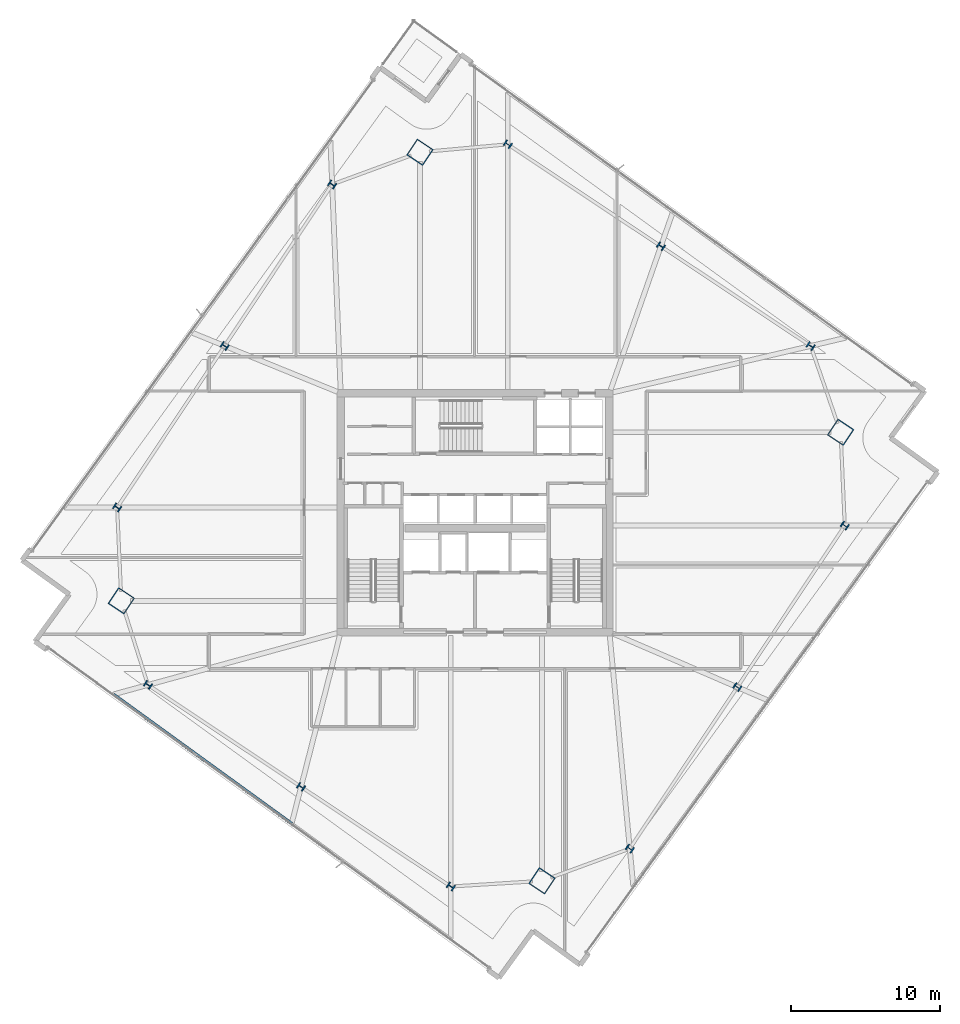
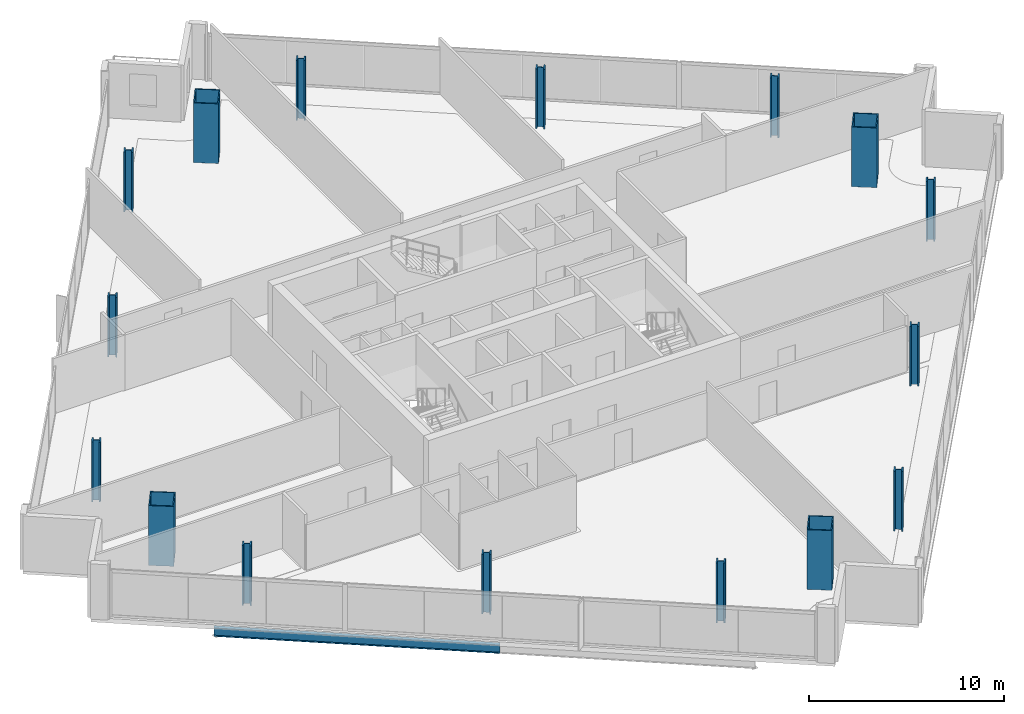
# One storey, part 1 of 29: 16 columns, 1 beam.
"""IFC4 building model written with IfcOpenShell, lengths in metres."""

from ifc_helpers import new_model, si_unit, direction, frame, origin, origin_2d, place, context, subcontext, project, spatial, hollow_rectangle, i_section, extrude, material, material_profile, profile_set, type_object, element, save


model = new_model("IFC4")

# Units and contexts
model_context = context("Model", 3, precision=1e-05, world=origin(), true_north=direction((0.0, 1.0)))
body_context = subcontext(model_context, "Body", "Model", "MODEL_VIEW")
ifc_project = project(units=[si_unit("LENGTHUNIT", "METRE"), si_unit("AREAUNIT", "SQUARE_METRE"), si_unit("VOLUMEUNIT", "CUBIC_METRE"), si_unit("PLANEANGLEUNIT", "RADIAN"), si_unit("MASSUNIT", "GRAM", prefix="KILO")], contexts=[model_context])

# Site, building, storey
site_placement = place(None, origin())
site = spatial("IfcSite", under=ifc_project, at=site_placement, CompositionType="ELEMENT")
building_placement = place(site_placement, origin())
building = spatial("IfcBuilding", under=site, at=building_placement, Name="Haldenkirk Collegiate Tower", CompositionType="ELEMENT")
storey_placement = place(building_placement, frame((0.0, 0.0, 209.699951171875)))
storey = spatial("IfcBuildingStorey", under=building, at=storey_placement, Name="L52", CompositionType="ELEMENT", Elevation=209.699951171875)

# Columns
ifc_material_1 = material(Name="Steel ASTM A913 Grade 65", Category="steel")
ifc_material_profile_1 = material_profile(ifc_material_1, i_section(OverallWidth=0.424072265625, OverallDepth=0.47412109375, WebThickness=0.047607421875, FlangeThickness=0.0771484375, at=origin_2d()), Name="W14X426")
ifc_profile_set_1 = profile_set([ifc_material_profile_1], Name="Steel ASTM A913 Grade 65")
column_type_1 = type_object("IfcColumnType", Name="COL-INT-W14X426", PredefinedType="COLUMN", material=ifc_profile_set_1)
for number, where, z_axis, x_axis, name in (
    (1, (46.363037109375, 3.48974609375, 0.0), (0.0, 0.0, 1.0), (0.554118199338, 0.832437998389, 0.0), "L52 perimeter gravity column PC-S1"),
    (2, (53.564453125, 14.30810546875, 0.0), (0.0, 0.0, 1.0), (0.554118199338, 0.832437998389, 0.0), "L52 perimeter gravity column PC-S2"),
    (3, (60.765869140625, 25.12646484375, 0.0), (0.0, 0.0, 1.0), (0.554118199338, 0.832437998389, 0.0), "L52 perimeter gravity column PC-S3"),
    (4, (58.48095703125, 37.16357421875, 0.0), (0.0, 0.0, 1.0), (0.554118199338, 0.832437998389, 0.0), "L52 perimeter gravity column PC-E1"),
    (5, (48.447509765625, 43.84228515625, 0.0), (0.0, 0.0, 1.0), (0.554118199338, 0.832437998389, 0.0), "L52 perimeter gravity column PC-E2"),
    (6, (38.192626953125, 50.66845703125, 0.0), (0.0, 0.0, 1.0), (0.554118199338, 0.832437998389, 0.0), "L52 perimeter gravity column PC-E3"),
    (7, (26.427734375, 47.98388671875, 0.0), (0.0, 0.0, 1.0), (0.554118199338, 0.832437998389, 0.0), "L52 perimeter gravity column PC-N1"),
    (8, (19.226318359375, 37.16552734375, 0.0), (0.0, 0.0, 1.0), (0.554118199338, 0.832437998389, 0.0), "L52 perimeter gravity column PC-N2"),
    (9, (12.025146484375, 26.34716796875, 0.0), (0.0, 0.0, 1.0), (0.554118199338, 0.832437998389, 0.0), "L52 perimeter gravity column PC-N3"),
    (10, (14.08837890625, 14.45751953125, 0.0), (0.0, 0.0, 1.0), (0.554118199338, 0.832437998389, 0.0), "L52 perimeter gravity column PC-W1"),
    (11, (24.34326171875, 7.63134765625, 0.0), (0.0, 0.0, 1.0), (0.554118199338, 0.832437998389, 0.0), "L52 perimeter gravity column PC-W2"),
    (12, (34.376708984375, 0.952392578125, 0.0), (0.0, 0.0, 1.0), (0.554118199338, 0.832437998389, 0.0), "L52 perimeter gravity column PC-W3"),
):
    element("IfcColumn", number, at=place(storey_placement, frame(where, z_axis=z_axis, x_axis=x_axis)), inside=storey, type_object=column_type_1, Name=name, PredefinedType="COLUMN", context=body_context, shape_type="SweptSolid", body=[
        extrude(i_section(OverallWidth=0.424072265625, OverallDepth=0.47412109375, WebThickness=0.047607421875, FlangeThickness=0.0771484375, at=origin_2d()), origin(), (0.0, 0.0, 1.0), 3.75),
    ])
ifc_material_2 = material(Name="Steel ASTM A572 Grade 50", Category="steel")
ifc_material_profile_2 = material_profile(ifc_material_2, hollow_rectangle(XDim=1.300048828125, YDim=1.300048828125, WallThickness=0.06005859375, at=origin_2d()), Name="BOX1300X1300X60")
ifc_profile_set_2 = profile_set([ifc_material_profile_2], Name="Steel ASTM A572 Grade 50")
column_type_2 = type_object("IfcColumnType", Name="COL-MEGA-BOX1300X1300X60", PredefinedType="COLUMN", material=ifc_profile_set_2)
for number, where, z_axis, x_axis, name in (
    (13, (40.482666015625, 1.332763671875, 0.0), (0.0, 0.0, 1.0), (0.554118199338, 0.832437998389, 0.0), "L52 corner mega-column MC1"),
    (14, (60.486328125, 31.3837890625, 0.0), (0.0, 0.0, 1.0), (0.554118199338, 0.832437998389, 0.0), "L52 corner mega-column MC2"),
    (15, (32.30810546875, 50.140869140625, 0.0), (0.0, 0.0, 1.0), (0.554118199338, 0.832437998389, 0.0), "L52 corner mega-column MC3"),
    (16, (12.3046875, 20.089599609375, 0.0), (0.0, 0.0, 1.0), (0.554118199338, 0.832437998389, 0.0), "L52 corner mega-column MC4"),
):
    element("IfcColumn", number, at=place(storey_placement, frame(where, z_axis=z_axis, x_axis=x_axis)), inside=storey, type_object=column_type_2, Name=name, PredefinedType="COLUMN", context=body_context, shape_type="SweptSolid", body=[
        extrude(hollow_rectangle(XDim=1.300048828125, YDim=1.300048828125, WallThickness=0.06005859375, at=origin_2d()), origin(), (0.0, 0.0, 1.0), 3.75),
    ])

# Beam
ifc_material_3 = material(Name="Steel ASTM A992 Grade 50", Category="steel")
ifc_material_profile_3 = material_profile(ifc_material_3, i_section(OverallWidth=0.2099609375, OverallDepth=0.537109375, WebThickness=0.010986328125, FlangeThickness=0.017333984375, at=origin_2d()), Name="W21X68")
ifc_profile_set_3 = profile_set([ifc_material_profile_3], Name="Steel ASTM A992 Grade 50")
beam_type = type_object("IfcBeamType", Name="BM-SPANDREL-W21X68", PredefinedType="SPANDREL", material=ifc_profile_set_3)
beam_placement = place(storey_placement, frame((11.77490234375, 13.822509765625, -0.54833984375), z_axis=(0.809535098048, -0.587071482043, 0.0), x_axis=(0.587071482043, 0.809535098048, 0.0)))
element("IfcBeam", 17, at=beam_placement, inside=storey, type_object=beam_type, Name="L52 outer facade edge beam 4A", PredefinedType="SPANDREL", context=body_context, shape_type="SweptSolid", body=[
    extrude(i_section(OverallWidth=0.2099609375, OverallDepth=0.537109375, WebThickness=0.010986328125, FlangeThickness=0.017333984375, at=origin_2d()), origin(), (0.0, 0.0, 1.0), 14.7451171875),
])

save(model, "model.ifc")
